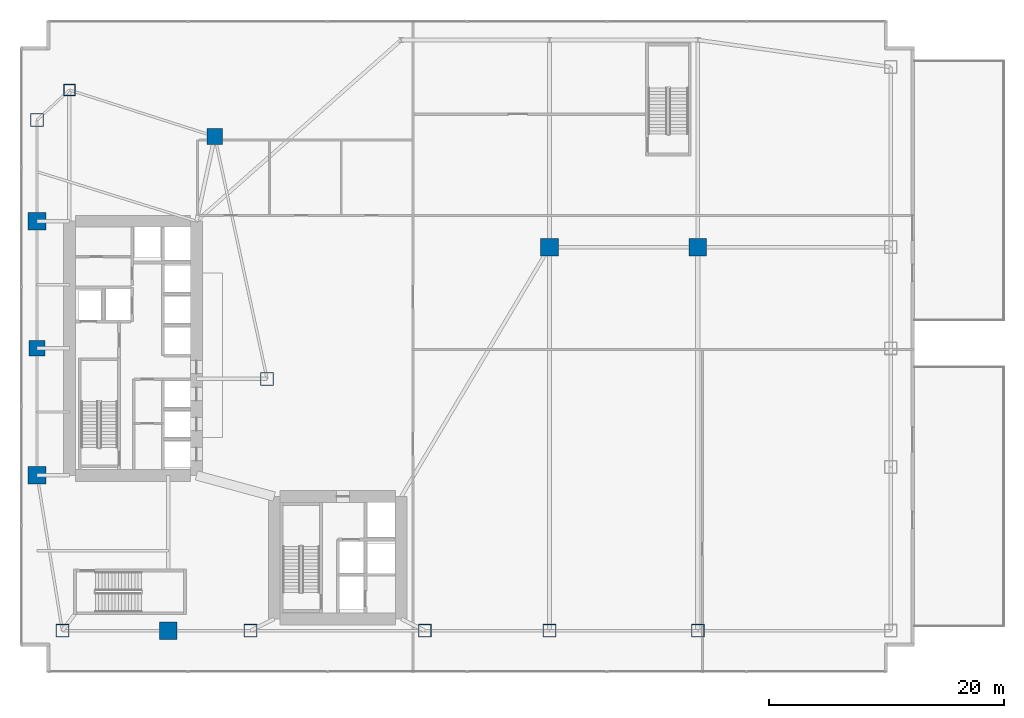
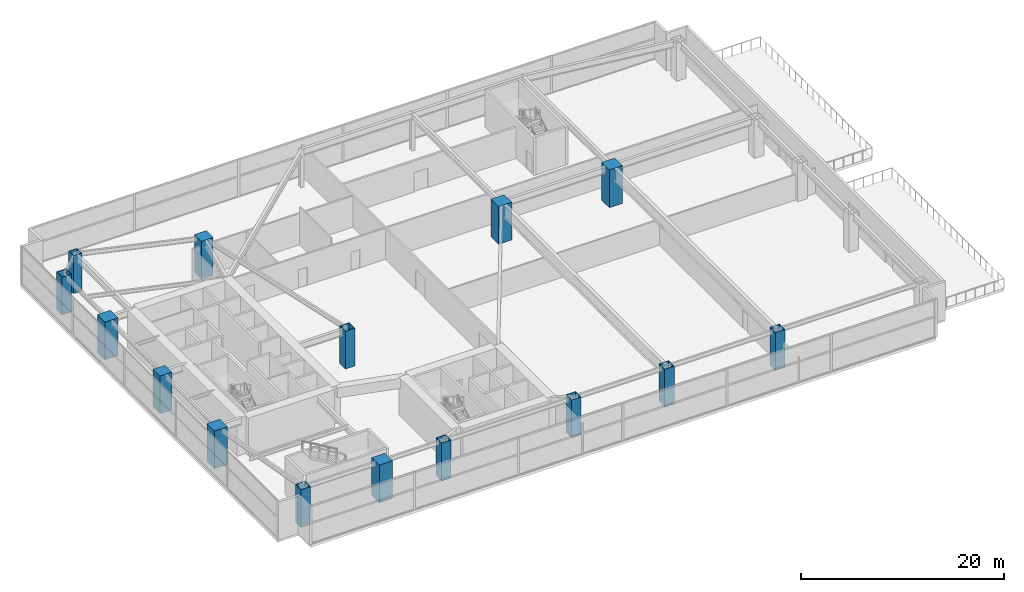
# One storey, part 1 of 30: 15 columns.
"""IFC4 building model written with IfcOpenShell, lengths in metres."""

from ifc_helpers import new_model, si_unit, direction, frame, origin, origin_2d, place, context, subcontext, project, spatial, rectangle, hollow_rectangle, extrude, material, material_profile, profile_set, type_object, element, save


model = new_model("IFC4")

# Units and contexts
model_context = context("Model", 3, precision=1e-05, world=origin(), true_north=direction((0.0, 1.0)))
body_context = subcontext(model_context, "Body", "Model", "MODEL_VIEW")
ifc_project = project(units=[si_unit("LENGTHUNIT", "METRE"), si_unit("AREAUNIT", "SQUARE_METRE"), si_unit("VOLUMEUNIT", "CUBIC_METRE"), si_unit("PLANEANGLEUNIT", "RADIAN"), si_unit("MASSUNIT", "GRAM", prefix="KILO")], contexts=[model_context])

# Site, building, storey
site_placement = place(None, origin())
site = spatial("IfcSite", under=ifc_project, at=site_placement, CompositionType="ELEMENT")
building_placement = place(site_placement, origin())
building = spatial("IfcBuilding", under=site, at=building_placement, Name="Calvorn Quay Hotel", CompositionType="ELEMENT")
storey_placement = place(building_placement, frame((0.0, 0.0, 17.0)))
storey = spatial("IfcBuildingStorey", under=building, at=storey_placement, Name="L03", CompositionType="ELEMENT", Elevation=17.0)

# Columns
ifc_material_1 = material(Name="Concrete C60", Category="concrete")
ifc_material_profile_1 = material_profile(ifc_material_1, rectangle(XDim=1.35009765625, YDim=1.35009765625, at=origin_2d()), Name="RC1350x1350")
ifc_profile_set_1 = profile_set([ifc_material_profile_1], Name="Concrete C60")
column_type_1 = type_object("IfcColumnType", Name="COL-RC-1350", PredefinedType="COLUMN", material=ifc_profile_set_1)
for number, where, z_axis, x_axis, name in (
    (1, (1.449951171875, 27.60009765625, 0.0), (0.0, 0.0, 1.0), (1.0, 0.0, 0.0), "Column C-W3 (L03)"),
    (2, (16.550048828125, 45.60009765625, 0.0), (0.0, 0.0, 1.0), (1.0, 0.0, 0.0), "Column C-IC1 (L03)"),
):
    element("IfcColumn", number, at=place(storey_placement, frame(where, z_axis=z_axis, x_axis=x_axis)), inside=storey, type_object=column_type_1, Name=name, PredefinedType="COLUMN", context=body_context, shape_type="SweptSolid", body=[
        extrude(rectangle(XDim=1.35009765625, YDim=1.35009765625, at=origin_2d()), origin(), (0.0, 0.0, 1.0), 4.550048828125),
    ])
ifc_material_2 = material(Name="Concrete C60", Category="concrete")
ifc_material_profile_2 = material_profile(ifc_material_2, rectangle(XDim=1.5, YDim=1.5, at=origin_2d()), Name="RC1500x1500")
ifc_profile_set_2 = profile_set([ifc_material_profile_2], Name="Concrete C60")
column_type_2 = type_object("IfcColumnType", Name="COL-RC-1500", PredefinedType="COLUMN", material=ifc_profile_set_2)
for number, where, z_axis, x_axis, name in (
    (3, (1.449951171875, 16.800048828125, 0.0), (0.0, 0.0, 1.0), (1.0, 0.0, 0.0), "Column C-W2 (L03)"),
    (4, (1.449951171875, 38.39990234375, 0.0), (0.0, 0.0, 1.0), (1.0, 0.0, 0.0), "Column C-W4 (L03)"),
    (5, (12.60009765625, 3.60009765625, 0.0), (0.0, 0.0, 1.0), (1.0, 0.0, 0.0), "Column C-S1 (L03)"),
    (6, (45.0, 36.199951171875, 0.0), (0.0, 0.0, 1.0), (1.0, 0.0, 0.0), "Column C-PN1 (L03)"),
    (7, (57.60009765625, 36.199951171875, 0.0), (0.0, 0.0, 1.0), (1.0, 0.0, 0.0), "Column C-PN2 (L03)"),
):
    element("IfcColumn", number, at=place(storey_placement, frame(where, z_axis=z_axis, x_axis=x_axis)), inside=storey, type_object=column_type_2, Name=name, PredefinedType="COLUMN", context=body_context, shape_type="SweptSolid", body=[
        extrude(rectangle(XDim=1.5, YDim=1.5, at=origin_2d()), origin(), (0.0, 0.0, 1.0), 4.550048828125),
    ])
ifc_material_3 = material(Name="Steel Q420GJC", Category="steel")
ifc_material_profile_3 = material_profile(ifc_material_3, hollow_rectangle(XDim=1.10009765625, YDim=1.10009765625, WallThickness=0.044921875, at=origin_2d()), Name="BOX1100x1100x45")
ifc_profile_set_3 = profile_set([ifc_material_profile_3], Name="Steel Q420GJC")
column_type_3 = type_object("IfcColumnType", Name="COL-STL-MEGA1", PredefinedType="COLUMN", material=ifc_profile_set_3)
for number, where, z_axis, x_axis, name in (
    (8, (3.60009765625, 3.60009765625, 0.0), (0.0, 0.0, 1.0), (1.0, 0.0, 0.0), "Column C-W1 (L03)"),
    (9, (1.449951171875, 47.0, 0.0), (0.0, 0.0, 1.0), (1.0, 0.0, 0.0), "Column C-W5 (L03)"),
    (10, (21.0, 25.0, 0.0), (0.0, 0.0, 1.0), (1.0, 0.0, 0.0), "Column C-IC2 (L03)"),
    (11, (19.60009765625, 3.60009765625, 0.0), (0.0, 0.0, 1.0), (1.0, 0.0, 0.0), "Column C-S2 (L03)"),
    (12, (34.39990234375, 3.60009765625, 0.0), (0.0, 0.0, 1.0), (1.0, 0.0, 0.0), "Column C-S3 (L03)"),
    (13, (45.0, 3.60009765625, 0.0), (0.0, 0.0, 1.0), (1.0, 0.0, 0.0), "Column C-PS4 (L03)"),
    (14, (57.60009765625, 3.60009765625, 0.0), (0.0, 0.0, 1.0), (1.0, 0.0, 0.0), "Column C-PS5 (L03)"),
):
    element("IfcColumn", number, at=place(storey_placement, frame(where, z_axis=z_axis, x_axis=x_axis)), inside=storey, type_object=column_type_3, Name=name, PredefinedType="COLUMN", context=body_context, shape_type="SweptSolid", body=[
        extrude(hollow_rectangle(XDim=1.10009765625, YDim=1.10009765625, WallThickness=0.044921875, at=origin_2d()), origin(), (0.0, 0.0, 1.0), 4.550048828125),
    ])
ifc_material_4 = material(Name="Steel Q420GJC", Category="steel")
ifc_material_profile_4 = material_profile(ifc_material_4, hollow_rectangle(XDim=0.949951171875, YDim=0.949951171875, WallThickness=0.0400390625, at=origin_2d()), Name="BOX950x950x40")
ifc_profile_set_4 = profile_set([ifc_material_profile_4], Name="Steel Q420GJC")
column_type_4 = type_object("IfcColumnType", Name="COL-STL-MEGA2", PredefinedType="COLUMN", material=ifc_profile_set_4)
column_placement = place(storey_placement, frame((4.199951171875, 49.550048828125, 0.0), z_axis=(0.0, 0.0, 1.0), x_axis=(1.0, 0.0, 0.0)))
element("IfcColumn", 15, at=column_placement, inside=storey, type_object=column_type_4, Name="Column C-NW1 (L03)", PredefinedType="COLUMN", context=body_context, shape_type="SweptSolid", body=[
    extrude(hollow_rectangle(XDim=0.949951171875, YDim=0.949951171875, WallThickness=0.0400390625, at=origin_2d()), origin(), (0.0, 0.0, 1.0), 4.550048828125),
])

save(model, "model.ifc")
